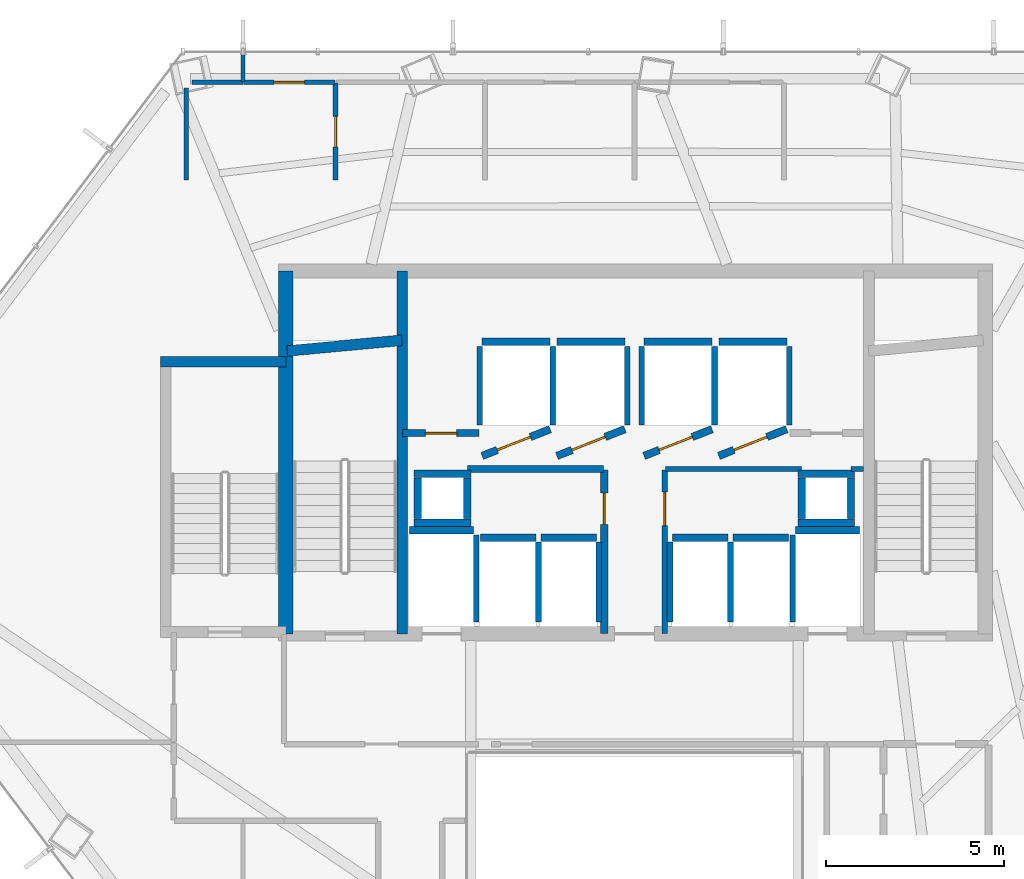
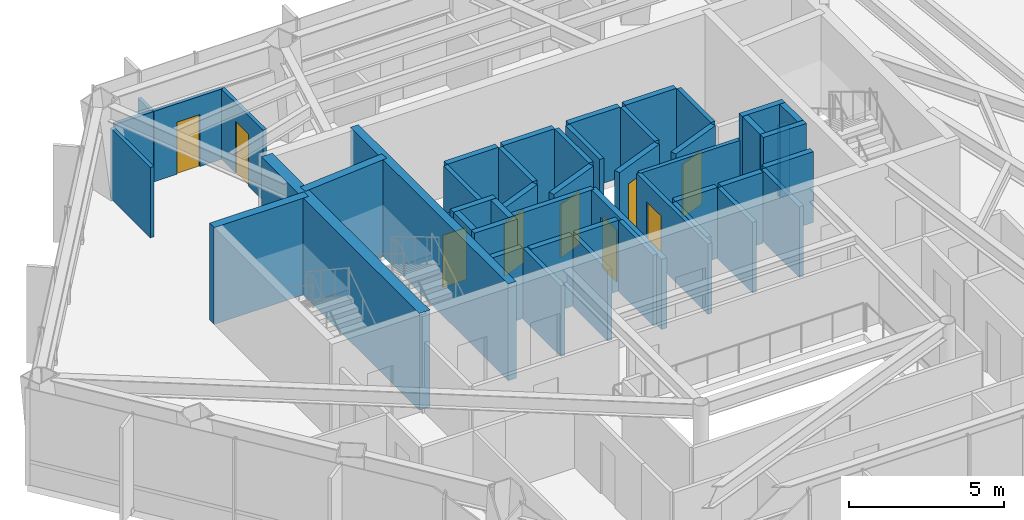
# One storey, part 24 of 26: 49 walls, 9 doors, 9 openings.
"""IFC4 building model written with IfcOpenShell, lengths in metres."""

from ifc_helpers import new_model, si_unit, direction, frame, frame_2d, origin, place, context, subcontext, project, spatial, rectangle, extrude, material, layer, layer_set, type_object, element, fill, save


model = new_model("IFC4")

# Units and contexts
model_context = context("Model", 3, precision=1e-05, world=origin(), true_north=direction((0.0, 1.0)))
body_context = subcontext(model_context, "Body", "Model", "MODEL_VIEW")
ifc_project = project(units=[si_unit("LENGTHUNIT", "METRE"), si_unit("AREAUNIT", "SQUARE_METRE"), si_unit("VOLUMEUNIT", "CUBIC_METRE"), si_unit("PLANEANGLEUNIT", "RADIAN"), si_unit("MASSUNIT", "GRAM", prefix="KILO")], contexts=[model_context])

# Site, building, storey
site_placement = place(None, origin())
site = spatial("IfcSite", under=ifc_project, at=site_placement, CompositionType="ELEMENT")
building_placement = place(site_placement, origin())
building = spatial("IfcBuilding", under=site, at=building_placement, Name="Zarrinselat Tower", CompositionType="ELEMENT")
storey_placement = place(building_placement, frame((0.0, 0.0, 92.820068359375)))
storey = spatial("IfcBuildingStorey", under=building, at=storey_placement, Name="L22", CompositionType="ELEMENT", Elevation=92.820068359375)

# Walls
ifc_material_1 = material(Name="Fire-Rated Gypsum Board Partition", Category="gypsum")
ifc_layer_1 = layer(ifc_material_1, 0.14990234375)
ifc_layer_set_1 = layer_set([ifc_layer_1], Name="Fire-Rated Gypsum Board Partition")
wall_type_1 = type_object("IfcWallType", Name="WAL-PART-EI60", PredefinedType="PARTITIONING", material=ifc_layer_set_1)
wall_1_placement = place(storey_placement, frame((39.27001953125, 37.8798828125, 0.0), z_axis=(0.0, 0.0, 1.0), x_axis=(1.0, 0.0, 0.0)))
element("IfcWall", 1, at=wall_1_placement, inside=storey, type_object=wall_type_1, Name="L22 Partition Wall 5", PredefinedType="PARTITIONING", context=body_context, shape_type="SweptSolid", body=[
    extrude(rectangle(XDim=3.824951171875, YDim=0.14990234375, at=frame_2d((1.91259765625, 0.0))), origin(), (0.0, 0.0, 1.0), 2.77685546875),
])
wall_2_placement = place(storey_placement, frame((44.485107421875, 37.8798828125, 0.0), z_axis=(0.0, 0.0, 1.0), x_axis=(1.0, 0.0, 0.0)))
element("IfcWall", 2, at=wall_2_placement, inside=storey, type_object=wall_type_1, Name="L22 Partition Wall 6", PredefinedType="PARTITIONING", context=body_context, shape_type="SweptSolid", body=[
    extrude(rectangle(XDim=0.349853515625, YDim=0.14990234375, at=frame_2d((0.1748046875, 0.0))), origin(), (0.0, 0.0, 1.0), 2.77685546875),
])

# Wall, opening, door
wall_3_placement = place(storey_placement, frame((39.25, 33.264892578125, 0.0), z_axis=(0.0, 0.0, 1.0), x_axis=(0.0, 1.0, 0.0)))
wall_3 = element("IfcWall", 3, at=wall_3_placement, inside=storey, type_object=wall_type_1, Name="L22 Partition Wall 7", PredefinedType="PARTITIONING", context=body_context, shape_type="SweptSolid", body=[
    extrude(rectangle(XDim=4.59521484375, YDim=0.14990234375, at=frame_2d((2.297607421875, 0.0))), origin(), (0.0, 0.0, 1.0), 2.77685546875),
])
opening_1_placement = place(wall_3_placement, frame((3.027587890625, 0.0, 0.0)))
opening_1 = element("IfcOpeningElement", 4, at=opening_1_placement, cuts=wall_3, Name="Opening ID-04", PredefinedType="OPENING", context=body_context, shape_type="SweptSolid", body=[
    extrude(rectangle(XDim=0.93994140625, YDim=2.050048828125, at=frame_2d((0.469970703125, 1.02490234375))), frame((0.0, 0.0849609375, 0.0), z_axis=(0.0, -1.0, 0.0), x_axis=(1.0, 0.0, 0.0)), (0.0, 0.0, 1.0), 0.169921875),
])
ifc_material_2 = material(Name="Fire-Rated Gypsum Board Partition")
door_type_1 = type_object("IfcDoorType", Name="DR-INT-FD30-ENT", OperationType="NOTDEFINED", PredefinedType="DOOR", material=ifc_material_2)
door_1_placement = place(opening_1_placement, origin())
door_1 = element("IfcDoor", 5, at=door_1_placement, inside=storey, type_object=door_type_1, Name="L22 Interior Door P7", OperationType="SINGLE_SWING_LEFT", OverallHeight=2.050048828125, OverallWidth=0.93994140625, PredefinedType="DOOR", context=body_context, shape_type="SweptSolid", body=[
    extrude(rectangle(XDim=0.93994140625, YDim=2.050048828125, at=frame_2d((0.469970703125, 1.02490234375))), frame((0.0, 0.02490234375, 0.0), z_axis=(0.0, -1.0, 0.0), x_axis=(1.0, 0.0, 0.0)), (0.0, 0.0, 1.0), 0.050048828125),
])
fill(opening_1, door_1)

ifc_material_3 = material(Name="Concrete C40/50", Category="concrete")
ifc_layer_2 = layer(ifc_material_3, 0.199951171875)
ifc_layer_set_2 = layer_set([ifc_layer_2], Name="Concrete C40/50")
wall_type_2 = type_object("IfcWallType", Name="WAL-PART-PLANT", PredefinedType="PARTITIONING", material=ifc_layer_set_2)
wall_4_placement = place(storey_placement, frame((37.550048828125, 33.264892578125, 0.0), z_axis=(0.0, 0.0, 1.0), x_axis=(0.0, 1.0, 0.0)))
wall_4 = element("IfcWall", 6, at=wall_4_placement, inside=storey, type_object=wall_type_2, Name="L22 Partition Wall 1", PredefinedType="PARTITIONING", context=body_context, shape_type="SweptSolid", body=[
    extrude(rectangle(XDim=4.59521484375, YDim=0.199951171875, at=frame_2d((2.297607421875, 0.0))), origin(), (0.0, 0.0, 1.0), 2.77685546875),
])
opening_2_placement = place(wall_4_placement, frame((3.0576171875, 0.0, 0.0)))
opening_2 = element("IfcOpeningElement", 7, at=opening_2_placement, cuts=wall_4, Name="Opening ID-03", PredefinedType="OPENING", context=body_context, shape_type="SweptSolid", body=[
    extrude(rectangle(XDim=0.8798828125, YDim=2.050048828125, at=frame_2d((0.43994140625, 1.02490234375))), frame((0.0, 0.10986328125, 0.0), z_axis=(0.0, -1.0, 0.0), x_axis=(1.0, 0.0, 0.0)), (0.0, 0.0, 1.0), 0.219970703125),
])
ifc_material_4 = material(Name="Steel S355J2", Category="steel")
door_type_2 = type_object("IfcDoorType", Name="DR-INT-FD60-S", OperationType="NOTDEFINED", PredefinedType="DOOR", material=ifc_material_4)
door_2_placement = place(opening_2_placement, origin())
door_2 = element("IfcDoor", 8, at=door_2_placement, inside=storey, type_object=door_type_2, Name="L22 Interior Door P1", OperationType="SINGLE_SWING_RIGHT", OverallHeight=2.050048828125, OverallWidth=0.8798828125, PredefinedType="DOOR", context=body_context, shape_type="SweptSolid", body=[
    extrude(rectangle(XDim=0.8798828125, YDim=2.050048828125, at=frame_2d((0.43994140625, 1.02490234375))), frame((0.0, 0.02490234375, 0.0), z_axis=(0.0, -1.0, 0.0), x_axis=(1.0, 0.0, 0.0)), (0.0, 0.0, 1.0), 0.050048828125),
])
fill(opening_2, door_2)

# Wall
wall_5_placement = place(storey_placement, frame((33.705078125, 37.8798828125, 0.0), z_axis=(0.0, 0.0, 1.0), x_axis=(1.0, 0.0, 0.0)))
element("IfcWall", 9, at=wall_5_placement, inside=storey, type_object=wall_type_2, Name="L22 Partition Wall 2", PredefinedType="PARTITIONING", context=body_context, shape_type="SweptSolid", body=[
    extrude(rectangle(XDim=3.824951171875, YDim=0.199951171875, at=frame_2d((1.91259765625, 0.0))), origin(), (0.0, 0.0, 1.0), 2.77685546875),
])

# Wall, opening, door
wall_6_placement = place(storey_placement, frame((31.885009765625, 38.889892578125, 0.0), z_axis=(0.0, 0.0, 1.0), x_axis=(1.0, 0.0, 0.0)))
wall_6 = element("IfcWall", 10, at=wall_6_placement, inside=storey, type_object=wall_type_2, Name="L22 Partition Wall 3", PredefinedType="PARTITIONING", context=body_context, shape_type="SweptSolid", body=[
    extrude(rectangle(XDim=2.14990234375, YDim=0.199951171875, at=frame_2d((1.074951171875, 0.0))), origin(), (0.0, 0.0, 1.0), 2.77685546875),
])
opening_3_placement = place(wall_6_placement, frame((0.635009765625, 0.0, 0.0)))
opening_3 = element("IfcOpeningElement", 11, at=opening_3_placement, cuts=wall_6, Name="Opening ID-03", PredefinedType="OPENING", context=body_context, shape_type="SweptSolid", body=[
    extrude(rectangle(XDim=0.8798828125, YDim=2.050048828125, at=frame_2d((0.43994140625, 1.02490234375))), frame((0.0, 0.10986328125, 0.0), z_axis=(0.0, -1.0, 0.0), x_axis=(1.0, 0.0, 0.0)), (0.0, 0.0, 1.0), 0.219970703125),
])
door_3_placement = place(opening_3_placement, origin())
door_3 = element("IfcDoor", 12, at=door_3_placement, inside=storey, type_object=door_type_2, Name="L22 Interior Door P3", OperationType="SINGLE_SWING_LEFT", OverallHeight=2.050048828125, OverallWidth=0.8798828125, PredefinedType="DOOR", context=body_context, shape_type="SweptSolid", body=[
    extrude(rectangle(XDim=0.8798828125, YDim=2.050048828125, at=frame_2d((0.43994140625, 1.02490234375))), frame((0.0, 0.02490234375, 0.0), z_axis=(0.0, -1.0, 0.0), x_axis=(1.0, 0.0, 0.0)), (0.0, 0.0, 1.0), 0.050048828125),
])
fill(opening_3, door_3)

# Wall
ifc_material_5 = material(Name="Fire-Rated Gypsum Board Partition", Category="gypsum")
ifc_layer_3 = layer(ifc_material_5, 0.1201171875)
ifc_layer_set_3 = layer_set([ifc_layer_3], Name="Fire-Rated Gypsum Board Partition")
wall_type_3 = type_object("IfcWallType", Name="WAL-PART-STD", PredefinedType="PARTITIONING", material=ifc_layer_set_3)
wall_7_placement = place(storey_placement, frame((27.39990234375, 48.77001953125, 0.0), z_axis=(0.0, 0.0, 1.0), x_axis=(0.0, 1.0, 0.0)))
element("IfcWall", 13, at=wall_7_placement, inside=storey, type_object=wall_type_3, Name="L22 Partition Wall 47", PredefinedType="PARTITIONING", context=body_context, shape_type="SweptSolid", body=[
    extrude(rectangle(XDim=0.831787109375, YDim=0.1201171875, at=frame_2d((0.416015625, 0.0))), origin(), (0.0, 0.0, 1.0), 2.77685546875),
])

# Wall, opening, door
ifc_material_6 = material(Name="Fire-Rated Gypsum Board Partition", Category="gypsum")
ifc_layer_4 = layer(ifc_material_6, 0.135009765625)
ifc_layer_set_4 = layer_set([ifc_layer_4], Name="Fire-Rated Gypsum Board Partition")
wall_type_4 = type_object("IfcWallType", Name="WAL-PART-WET", PredefinedType="PARTITIONING", material=ifc_layer_set_4)
wall_8_placement = place(storey_placement, frame((30.0, 46.0, 0.0), z_axis=(0.0, 0.0, 1.0), x_axis=(0.0, 1.0, 0.0)))
wall_8 = element("IfcWall", 14, at=wall_8_placement, inside=storey, type_object=wall_type_4, Name="L22 Partition Wall 34", PredefinedType="PARTITIONING", context=body_context, shape_type="SweptSolid", body=[
    extrude(rectangle(XDim=2.72998046875, YDim=0.135009765625, at=frame_2d((1.364990234375, 0.0))), origin(), (0.0, 0.0, 1.0), 2.77685546875),
])
opening_4_placement = place(wall_8_placement, frame((0.93505859375, 0.0, 0.0)))
opening_4 = element("IfcOpeningElement", 15, at=opening_4_placement, cuts=wall_8, Name="Opening ID-06", PredefinedType="OPENING", context=body_context, shape_type="SweptSolid", body=[
    extrude(rectangle(XDim=0.860107421875, YDim=2.050048828125, at=frame_2d((0.43017578125, 1.02490234375))), frame((0.0, 0.077392578125, 0.0), z_axis=(0.0, -1.0, 0.0), x_axis=(1.0, 0.0, 0.0)), (0.0, 0.0, 1.0), 0.155029296875),
])
ifc_material_7 = material(Name="Extruded Aluminium Alloy EN AW-6063 T6", Category="aluminium")
door_type_3 = type_object("IfcDoorType", Name="DR-INT-WET-900", OperationType="NOTDEFINED", PredefinedType="DOOR", material=ifc_material_7)
door_4_placement = place(opening_4_placement, origin())
door_4 = element("IfcDoor", 16, at=door_4_placement, inside=storey, type_object=door_type_3, Name="L22 Interior Door P34", OperationType="SINGLE_SWING_RIGHT", OverallHeight=2.050048828125, OverallWidth=0.860107421875, PredefinedType="DOOR", context=body_context, shape_type="SweptSolid", body=[
    extrude(rectangle(XDim=0.860107421875, YDim=2.050048828125, at=frame_2d((0.43017578125, 1.02490234375))), frame((0.0, 0.02490234375, 0.0), z_axis=(0.0, -1.0, 0.0), x_axis=(1.0, 0.0, 0.0)), (0.0, 0.0, 1.0), 0.050048828125),
])
fill(opening_4, door_4)

wall_9_placement = place(storey_placement, frame((27.405029296875, 48.75, 0.0), z_axis=(0.0, 0.0, 1.0), x_axis=(1.0, 0.0, 0.0)))
wall_9 = element("IfcWall", 17, at=wall_9_placement, inside=storey, type_object=wall_type_4, Name="L22 Partition Wall 35", PredefinedType="PARTITIONING", context=body_context, shape_type="SweptSolid", body=[
    extrude(rectangle(XDim=2.574951171875, YDim=0.135009765625, at=frame_2d((1.28759765625, 0.0))), origin(), (0.0, 0.0, 1.0), 2.77685546875),
])
opening_5_placement = place(wall_9_placement, frame((0.857421875, 0.0, 0.0)))
opening_5 = element("IfcOpeningElement", 18, at=opening_5_placement, cuts=wall_9, Name="Opening ID-06", PredefinedType="OPENING", context=body_context, shape_type="SweptSolid", body=[
    extrude(rectangle(XDim=0.860107421875, YDim=2.050048828125, at=frame_2d((0.43017578125, 1.02490234375))), frame((0.0, 0.077392578125, 0.0), z_axis=(0.0, -1.0, 0.0), x_axis=(1.0, 0.0, 0.0)), (0.0, 0.0, 1.0), 0.155029296875),
])
door_5_placement = place(opening_5_placement, origin())
door_5 = element("IfcDoor", 19, at=door_5_placement, inside=storey, type_object=door_type_3, Name="L22 Interior Door P35", OperationType="SINGLE_SWING_LEFT", OverallHeight=2.050048828125, OverallWidth=0.860107421875, PredefinedType="DOOR", context=body_context, shape_type="SweptSolid", body=[
    extrude(rectangle(XDim=0.860107421875, YDim=2.050048828125, at=frame_2d((0.43017578125, 1.02490234375))), frame((0.0, 0.02490234375, 0.0), z_axis=(0.0, -1.0, 0.0), x_axis=(1.0, 0.0, 0.0)), (0.0, 0.0, 1.0), 0.050048828125),
])
fill(opening_5, door_5)

# Walls
wall_10_placement = place(storey_placement, frame((25.800048828125, 46.0, 0.0), z_axis=(0.0, 0.0, 1.0), x_axis=(0.0, 1.0, 0.0)))
element("IfcWall", 20, at=wall_10_placement, inside=storey, type_object=wall_type_4, Name="L22 Partition Wall 36", PredefinedType="PARTITIONING", context=body_context, shape_type="SweptSolid", body=[
    extrude(rectangle(XDim=2.584228515625, YDim=0.135009765625, at=frame_2d((1.2919921875, 0.0))), origin(), (0.0, 0.0, 1.0), 2.77685546875),
])
wall_11_placement = place(storey_placement, frame((25.9658203125, 48.75, 0.0), z_axis=(0.0, 0.0, 1.0), x_axis=(1.0, 0.0, 0.0)))
element("IfcWall", 21, at=wall_11_placement, inside=storey, type_object=wall_type_4, Name="L22 Partition Wall 37", PredefinedType="PARTITIONING", context=body_context, shape_type="SweptSolid", body=[
    extrude(rectangle(XDim=1.42919921875, YDim=0.135009765625, at=frame_2d((0.714599609375, 0.0))), origin(), (0.0, 0.0, 1.0), 2.77685546875),
])
ifc_material_8 = material(Name="Concrete C40/50", Category="concrete")
ifc_layer_5 = layer(ifc_material_8, 0.2099609375)
ifc_layer_set_5 = layer_set([ifc_layer_5], Name="Concrete C40/50")
wall_type_5 = type_object("IfcWallType", Name="WAL-SHAFT-210", PredefinedType="SOLIDWALL", material=ifc_layer_set_5)
wall_12_placement = place(storey_placement, frame((32.080078125, 36.155029296875, 0.0), z_axis=(0.0, 0.0, 1.0), x_axis=(1.0, 0.0, 0.0)))
element("IfcWall", 22, at=wall_12_placement, inside=storey, type_object=wall_type_5, Name="L22 Lift FFL1 North Shaft Wall", PredefinedType="SOLIDWALL", context=body_context, shape_type="SweptSolid", body=[
    extrude(rectangle(XDim=1.7998046875, YDim=0.2099609375, at=frame_2d((0.89990234375, 0.0))), origin(), (0.0, 0.0, 1.0), 2.7919921875),
])
wall_13_placement = place(storey_placement, frame((33.949951171875, 33.580078125, 0.0), z_axis=(0.0, 0.0, 1.0), x_axis=(0.0, 1.0, 0.0)))
element("IfcWall", 23, at=wall_13_placement, inside=storey, type_object=wall_type_5, Name="L22 Lift FFL1 E Shaft Wall", PredefinedType="SOLIDWALL", context=body_context, shape_type="SweptSolid", body=[
    extrude(rectangle(XDim=2.449951171875, YDim=0.159912109375, at=frame_2d((1.22509765625, 0.0))), origin(), (0.0, 0.0, 1.0), 2.7919921875),
])
wall_14_placement = place(storey_placement, frame((42.919921875, 36.155029296875, 0.0), z_axis=(0.0, 0.0, 1.0), x_axis=(1.0, 0.0, 0.0)))
element("IfcWall", 24, at=wall_14_placement, inside=storey, type_object=wall_type_5, Name="L22 Lift FFL2 North Shaft Wall", PredefinedType="SOLIDWALL", context=body_context, shape_type="SweptSolid", body=[
    extrude(rectangle(XDim=1.800048828125, YDim=0.2099609375, at=frame_2d((0.89990234375, 0.0))), origin(), (0.0, 0.0, 1.0), 2.7919921875),
])
wall_15_placement = place(storey_placement, frame((42.85009765625, 33.580078125, 0.0), z_axis=(0.0, 0.0, 1.0), x_axis=(0.0, 1.0, 0.0)))
element("IfcWall", 25, at=wall_15_placement, inside=storey, type_object=wall_type_5, Name="L22 Lift FFL2 W Shaft Wall", PredefinedType="SOLIDWALL", context=body_context, shape_type="SweptSolid", body=[
    extrude(rectangle(XDim=2.449951171875, YDim=0.159912109375, at=frame_2d((1.22509765625, 0.0))), origin(), (0.0, 0.0, 1.0), 2.7919921875),
])

# Wall, opening, door
wall_16_placement = place(storey_placement, frame((34.1201171875, 38.25, 0.0), z_axis=(0.0, 0.0, 1.0), x_axis=(0.930804993012, 0.36551616241, 0.0)))
wall_16 = element("IfcWall", 26, at=wall_16_placement, inside=storey, type_object=wall_type_5, Name="L22 Lift PL1 Front Shaft Wall", PredefinedType="SOLIDWALL", context=body_context, shape_type="SweptSolid", body=[
    extrude(rectangle(XDim=2.052001953125, YDim=0.2099609375, at=frame_2d((1.02587890625, 0.0))), origin(), (0.0, 0.0, 1.0), 2.7919921875),
])
opening_6_placement = place(wall_16_placement, frame((0.455078125, 0.0, 0.0)))
opening_6 = element("IfcOpeningElement", 27, at=opening_6_placement, cuts=wall_16, Name="Opening LD-PL1", PredefinedType="OPENING", context=body_context, shape_type="SweptSolid", body=[
    extrude(rectangle(XDim=1.0, YDim=2.10009765625, at=frame_2d((0.5, 1.050048828125))), frame((0.0, 0.114990234375, 0.0), z_axis=(0.0, -1.0, 0.0), x_axis=(1.0, 0.0, 0.0)), (0.0, 0.0, 1.0), 0.22998046875),
])
ifc_material_9 = material(Name="Steel S355J2", Category="steel")
door_type_4 = type_object("IfcDoorType", Name="DR-LIFT-PS-1000", OperationType="NOTDEFINED", PredefinedType="DOOR", material=ifc_material_9)
door_6_placement = place(opening_6_placement, origin())
door_6 = element("IfcDoor", 28, at=door_6_placement, inside=storey, type_object=door_type_4, Name="L22 Lift PL1 Sliding Landing Door", OperationType="SLIDING_TO_LEFT", OverallHeight=2.10009765625, OverallWidth=1.0, PredefinedType="DOOR", context=body_context, shape_type="SweptSolid", body=[
    extrude(rectangle(XDim=1.0, YDim=2.10009765625, at=frame_2d((0.5, 1.050048828125))), frame((0.0, 0.02490234375, 0.0), z_axis=(0.0, -1.0, 0.0), x_axis=(1.0, 0.0, 0.0)), (0.0, 0.0, 1.0), 0.050048828125),
])
fill(opening_6, door_6)

# Walls
wall_17_placement = place(storey_placement, frame((34.1201171875, 41.455078125, 0.0), z_axis=(0.0, 0.0, 1.0), x_axis=(1.0, 0.0, 0.0)))
element("IfcWall", 29, at=wall_17_placement, inside=storey, type_object=wall_type_5, Name="L22 Lift PL1 Rear Shaft Wall", PredefinedType="SOLIDWALL", context=body_context, shape_type="SweptSolid", body=[
    extrude(rectangle(XDim=1.909912109375, YDim=0.2099609375, at=frame_2d((0.955078125, 0.0))), origin(), (0.0, 0.0, 1.0), 2.7919921875),
])
for number, where, z_axis, x_axis, name in (
    (30, (34.050048828125, 39.1201171875, 0.0), (0.0, 0.0, 1.0), (0.0, 1.0, 0.0), "L22 Lift PL1 W Shaft Wall"),
    (31, (36.10009765625, 39.1201171875, 0.0), (0.0, 0.0, 1.0), (0.0, 1.0, 0.0), "L22 Lift PL1 E Shaft Wall"),
):
    element("IfcWall", number, at=place(storey_placement, frame(where, z_axis=z_axis, x_axis=x_axis)), inside=storey, type_object=wall_type_5, Name=name, PredefinedType="SOLIDWALL", context=body_context, shape_type="SweptSolid", body=[
        extrude(rectangle(XDim=2.2099609375, YDim=0.159912109375, at=frame_2d((1.10498046875, 0.0))), origin(), (0.0, 0.0, 1.0), 2.7919921875),
    ])

# Wall, opening, door
wall_18_placement = place(storey_placement, frame((36.219970703125, 38.25, 0.0), z_axis=(0.0, 0.0, 1.0), x_axis=(0.930804993012, 0.36551616241, 0.0)))
wall_18 = element("IfcWall", 32, at=wall_18_placement, inside=storey, type_object=wall_type_5, Name="L22 Lift PL2 Front Shaft Wall", PredefinedType="SOLIDWALL", context=body_context, shape_type="SweptSolid", body=[
    extrude(rectangle(XDim=2.052001953125, YDim=0.2099609375, at=frame_2d((1.02587890625, 0.0))), origin(), (0.0, 0.0, 1.0), 2.7919921875),
])
opening_7_placement = place(wall_18_placement, frame((0.455078125, 0.0, 0.0)))
opening_7 = element("IfcOpeningElement", 33, at=opening_7_placement, cuts=wall_18, Name="Opening LD-PL2", PredefinedType="OPENING", context=body_context, shape_type="SweptSolid", body=[
    extrude(rectangle(XDim=1.0, YDim=2.10009765625, at=frame_2d((0.5, 1.050048828125))), frame((0.0, 0.114990234375, 0.0), z_axis=(0.0, -1.0, 0.0), x_axis=(1.0, 0.0, 0.0)), (0.0, 0.0, 1.0), 0.22998046875),
])
door_7_placement = place(opening_7_placement, origin())
door_7 = element("IfcDoor", 34, at=door_7_placement, inside=storey, type_object=door_type_4, Name="L22 Lift PL2 Sliding Landing Door", OperationType="SLIDING_TO_RIGHT", OverallHeight=2.10009765625, OverallWidth=1.0, PredefinedType="DOOR", context=body_context, shape_type="SweptSolid", body=[
    extrude(rectangle(XDim=1.0, YDim=2.10009765625, at=frame_2d((0.5, 1.050048828125))), frame((0.0, 0.02490234375, 0.0), z_axis=(0.0, -1.0, 0.0), x_axis=(1.0, 0.0, 0.0)), (0.0, 0.0, 1.0), 0.050048828125),
])
fill(opening_7, door_7)

# Walls
wall_19_placement = place(storey_placement, frame((36.219970703125, 41.455078125, 0.0), z_axis=(0.0, 0.0, 1.0), x_axis=(1.0, 0.0, 0.0)))
element("IfcWall", 35, at=wall_19_placement, inside=storey, type_object=wall_type_5, Name="L22 Lift PL2 Rear Shaft Wall", PredefinedType="SOLIDWALL", context=body_context, shape_type="SweptSolid", body=[
    extrude(rectangle(XDim=1.909912109375, YDim=0.2099609375, at=frame_2d((0.955078125, 0.0))), origin(), (0.0, 0.0, 1.0), 2.7919921875),
])
wall_20_placement = place(storey_placement, frame((38.199951171875, 39.1201171875, 0.0), z_axis=(0.0, 0.0, 1.0), x_axis=(0.0, 1.0, 0.0)))
element("IfcWall", 36, at=wall_20_placement, inside=storey, type_object=wall_type_5, Name="L22 Lift PL2 E Shaft Wall", PredefinedType="SOLIDWALL", context=body_context, shape_type="SweptSolid", body=[
    extrude(rectangle(XDim=2.2099609375, YDim=0.159912109375, at=frame_2d((1.10498046875, 0.0))), origin(), (0.0, 0.0, 1.0), 2.7919921875),
])

# Wall, opening, door
wall_21_placement = place(storey_placement, frame((38.669921875, 38.25, 0.0), z_axis=(0.0, 0.0, 1.0), x_axis=(0.930820886763, 0.3654756856, 0.0)))
wall_21 = element("IfcWall", 37, at=wall_21_placement, inside=storey, type_object=wall_type_5, Name="L22 Lift PL3 Front Shaft Wall", PredefinedType="SOLIDWALL", context=body_context, shape_type="SweptSolid", body=[
    extrude(rectangle(XDim=2.052001953125, YDim=0.2099609375, at=frame_2d((1.02587890625, 0.0))), origin(), (0.0, 0.0, 1.0), 2.7919921875),
])
opening_8_placement = place(wall_21_placement, frame((0.455078125, 0.0, 0.0)))
opening_8 = element("IfcOpeningElement", 38, at=opening_8_placement, cuts=wall_21, Name="Opening LD-PL3", PredefinedType="OPENING", context=body_context, shape_type="SweptSolid", body=[
    extrude(rectangle(XDim=1.0, YDim=2.10009765625, at=frame_2d((0.5, 1.050048828125))), frame((0.0, 0.114990234375, 0.0), z_axis=(0.0, -1.0, 0.0), x_axis=(1.0, 0.0, 0.0)), (0.0, 0.0, 1.0), 0.22998046875),
])
door_8_placement = place(opening_8_placement, origin())
door_8 = element("IfcDoor", 39, at=door_8_placement, inside=storey, type_object=door_type_4, Name="L22 Lift PL3 Sliding Landing Door", OperationType="SLIDING_TO_LEFT", OverallHeight=2.10009765625, OverallWidth=1.0, PredefinedType="DOOR", context=body_context, shape_type="SweptSolid", body=[
    extrude(rectangle(XDim=1.0, YDim=2.10009765625, at=frame_2d((0.5, 1.050048828125))), frame((0.0, 0.02490234375, 0.0), z_axis=(0.0, -1.0, 0.0), x_axis=(1.0, 0.0, 0.0)), (0.0, 0.0, 1.0), 0.050048828125),
])
fill(opening_8, door_8)

# Walls
wall_22_placement = place(storey_placement, frame((38.669921875, 41.455078125, 0.0), z_axis=(0.0, 0.0, 1.0), x_axis=(1.0, 0.0, 0.0)))
element("IfcWall", 40, at=wall_22_placement, inside=storey, type_object=wall_type_5, Name="L22 Lift PL3 Rear Shaft Wall", PredefinedType="SOLIDWALL", context=body_context, shape_type="SweptSolid", body=[
    extrude(rectangle(XDim=1.91015625, YDim=0.2099609375, at=frame_2d((0.955078125, 0.0))), origin(), (0.0, 0.0, 1.0), 2.7919921875),
])
for number, where, z_axis, x_axis, name in (
    (41, (38.60009765625, 39.1201171875, 0.0), (0.0, 0.0, 1.0), (0.0, 1.0, 0.0), "L22 Lift PL3 W Shaft Wall"),
    (42, (40.64990234375, 39.1201171875, 0.0), (0.0, 0.0, 1.0), (0.0, 1.0, 0.0), "L22 Lift PL3 E Shaft Wall"),
):
    element("IfcWall", number, at=place(storey_placement, frame(where, z_axis=z_axis, x_axis=x_axis)), inside=storey, type_object=wall_type_5, Name=name, PredefinedType="SOLIDWALL", context=body_context, shape_type="SweptSolid", body=[
        extrude(rectangle(XDim=2.2099609375, YDim=0.159912109375, at=frame_2d((1.10498046875, 0.0))), origin(), (0.0, 0.0, 1.0), 2.7919921875),
    ])

# Wall, opening, door
wall_23_placement = place(storey_placement, frame((40.77001953125, 38.25, 0.0), z_axis=(0.0, 0.0, 1.0), x_axis=(0.930804993012, 0.36551616241, 0.0)))
wall_23 = element("IfcWall", 43, at=wall_23_placement, inside=storey, type_object=wall_type_5, Name="L22 Lift PL4 Front Shaft Wall", PredefinedType="SOLIDWALL", context=body_context, shape_type="SweptSolid", body=[
    extrude(rectangle(XDim=2.052001953125, YDim=0.2099609375, at=frame_2d((1.02587890625, 0.0))), origin(), (0.0, 0.0, 1.0), 2.7919921875),
])
opening_9_placement = place(wall_23_placement, frame((0.455078125, 0.0, 0.0)))
opening_9 = element("IfcOpeningElement", 44, at=opening_9_placement, cuts=wall_23, Name="Opening LD-PL4", PredefinedType="OPENING", context=body_context, shape_type="SweptSolid", body=[
    extrude(rectangle(XDim=1.0, YDim=2.10009765625, at=frame_2d((0.5, 1.050048828125))), frame((0.0, 0.114990234375, 0.0), z_axis=(0.0, -1.0, 0.0), x_axis=(1.0, 0.0, 0.0)), (0.0, 0.0, 1.0), 0.22998046875),
])
door_9_placement = place(opening_9_placement, origin())
door_9 = element("IfcDoor", 45, at=door_9_placement, inside=storey, type_object=door_type_4, Name="L22 Lift PL4 Sliding Landing Door", OperationType="SLIDING_TO_RIGHT", OverallHeight=2.10009765625, OverallWidth=1.0, PredefinedType="DOOR", context=body_context, shape_type="SweptSolid", body=[
    extrude(rectangle(XDim=1.0, YDim=2.10009765625, at=frame_2d((0.5, 1.050048828125))), frame((0.0, 0.02490234375, 0.0), z_axis=(0.0, -1.0, 0.0), x_axis=(1.0, 0.0, 0.0)), (0.0, 0.0, 1.0), 0.050048828125),
])
fill(opening_9, door_9)

# Walls
wall_24_placement = place(storey_placement, frame((40.77001953125, 41.455078125, 0.0), z_axis=(0.0, 0.0, 1.0), x_axis=(1.0, 0.0, 0.0)))
element("IfcWall", 46, at=wall_24_placement, inside=storey, type_object=wall_type_5, Name="L22 Lift PL4 Rear Shaft Wall", PredefinedType="SOLIDWALL", context=body_context, shape_type="SweptSolid", body=[
    extrude(rectangle(XDim=1.909912109375, YDim=0.2099609375, at=frame_2d((0.955078125, 0.0))), origin(), (0.0, 0.0, 1.0), 2.7919921875),
])
wall_25_placement = place(storey_placement, frame((42.75, 39.1201171875, 0.0), z_axis=(0.0, 0.0, 1.0), x_axis=(0.0, 1.0, 0.0)))
element("IfcWall", 47, at=wall_25_placement, inside=storey, type_object=wall_type_5, Name="L22 Lift PL4 E Shaft Wall", PredefinedType="SOLIDWALL", context=body_context, shape_type="SweptSolid", body=[
    extrude(rectangle(XDim=2.2099609375, YDim=0.159912109375, at=frame_2d((1.10498046875, 0.0))), origin(), (0.0, 0.0, 1.0), 2.7919921875),
])
wall_26_placement = place(storey_placement, frame((34.070068359375, 35.955078125, 0.0), z_axis=(0.0, 0.0, 1.0), x_axis=(1.0, 0.0, 0.0)))
element("IfcWall", 48, at=wall_26_placement, inside=storey, type_object=wall_type_5, Name="L22 Lift PL5 North Shaft Wall", PredefinedType="SOLIDWALL", context=body_context, shape_type="SweptSolid", body=[
    extrude(rectangle(XDim=1.559814453125, YDim=0.2099609375, at=frame_2d((0.77978515625, 0.0))), origin(), (0.0, 0.0, 1.0), 2.7919921875),
])
wall_27_placement = place(storey_placement, frame((35.699951171875, 33.580078125, 0.0), z_axis=(0.0, 0.0, 1.0), x_axis=(0.0, 1.0, 0.0)))
element("IfcWall", 49, at=wall_27_placement, inside=storey, type_object=wall_type_5, Name="L22 Lift PL5 E Shaft Wall", PredefinedType="SOLIDWALL", context=body_context, shape_type="SweptSolid", body=[
    extrude(rectangle(XDim=2.25, YDim=0.159912109375, at=frame_2d((1.125, 0.0))), origin(), (0.0, 0.0, 1.0), 2.7919921875),
])
wall_28_placement = place(storey_placement, frame((35.77001953125, 35.955078125, 0.0), z_axis=(0.0, 0.0, 1.0), x_axis=(1.0, 0.0, 0.0)))
element("IfcWall", 50, at=wall_28_placement, inside=storey, type_object=wall_type_5, Name="L22 Lift PL6 North Shaft Wall", PredefinedType="SOLIDWALL", context=body_context, shape_type="SweptSolid", body=[
    extrude(rectangle(XDim=1.56005859375, YDim=0.2099609375, at=frame_2d((0.780029296875, 0.0))), origin(), (0.0, 0.0, 1.0), 2.7919921875),
])
wall_29_placement = place(storey_placement, frame((37.39990234375, 33.580078125, 0.0), z_axis=(0.0, 0.0, 1.0), x_axis=(0.0, 1.0, 0.0)))
element("IfcWall", 51, at=wall_29_placement, inside=storey, type_object=wall_type_5, Name="L22 Lift PL6 E Shaft Wall", PredefinedType="SOLIDWALL", context=body_context, shape_type="SweptSolid", body=[
    extrude(rectangle(XDim=2.25, YDim=0.159912109375, at=frame_2d((1.125, 0.0))), origin(), (0.0, 0.0, 1.0), 2.7919921875),
])
wall_30_placement = place(storey_placement, frame((39.469970703125, 35.955078125, 0.0), z_axis=(0.0, 0.0, 1.0), x_axis=(1.0, 0.0, 0.0)))
element("IfcWall", 52, at=wall_30_placement, inside=storey, type_object=wall_type_5, Name="L22 Lift PL8 North Shaft Wall", PredefinedType="SOLIDWALL", context=body_context, shape_type="SweptSolid", body=[
    extrude(rectangle(XDim=1.56005859375, YDim=0.2099609375, at=frame_2d((0.780029296875, 0.0))), origin(), (0.0, 0.0, 1.0), 2.7919921875),
])
for number, where, z_axis, x_axis, name in (
    (53, (39.39990234375, 33.580078125, 0.0), (0.0, 0.0, 1.0), (0.0, 1.0, 0.0), "L22 Lift PL8 W Shaft Wall"),
    (54, (41.10009765625, 33.580078125, 0.0), (0.0, 0.0, 1.0), (0.0, 1.0, 0.0), "L22 Lift PL8 E Shaft Wall"),
):
    element("IfcWall", number, at=place(storey_placement, frame(where, z_axis=z_axis, x_axis=x_axis)), inside=storey, type_object=wall_type_5, Name=name, PredefinedType="SOLIDWALL", context=body_context, shape_type="SweptSolid", body=[
        extrude(rectangle(XDim=2.25, YDim=0.159912109375, at=frame_2d((1.125, 0.0))), origin(), (0.0, 0.0, 1.0), 2.7919921875),
    ])
wall_31_placement = place(storey_placement, frame((41.169921875, 35.955078125, 0.0), z_axis=(0.0, 0.0, 1.0), x_axis=(1.0, 0.0, 0.0)))
element("IfcWall", 55, at=wall_31_placement, inside=storey, type_object=wall_type_5, Name="L22 Lift PL9 North Shaft Wall", PredefinedType="SOLIDWALL", context=body_context, shape_type="SweptSolid", body=[
    extrude(rectangle(XDim=1.56005859375, YDim=0.2099609375, at=frame_2d((0.780029296875, 0.0))), origin(), (0.0, 0.0, 1.0), 2.7919921875),
])
for number, where, z_axis, x_axis, name in (
    (56, (32.2099609375, 36.375, 0.0), (0.0, 0.0, 1.0), (1.0, 0.0, 0.0), "L22 Core Riser RSR-W S Shaft Wall"),
    (57, (32.2099609375, 37.7451171875, 0.0), (0.0, 0.0, 1.0), (1.0, 0.0, 0.0), "L22 Core Riser RSR-W N Shaft Wall"),
):
    element("IfcWall", number, at=place(storey_placement, frame(where, z_axis=z_axis, x_axis=x_axis)), inside=storey, type_object=wall_type_5, Name=name, PredefinedType="SOLIDWALL", context=body_context, shape_type="SweptSolid", body=[
        extrude(rectangle(XDim=1.60009765625, YDim=0.2099609375, at=frame_2d((0.800048828125, 0.0))), origin(), (0.0, 0.0, 1.0), 3.81982421875),
    ])
for number, where, z_axis, x_axis, name in (
    (58, (32.31494140625, 36.485107421875, 0.0), (0.0, 0.0, 1.0), (0.0, 1.0, 0.0), "L22 Core Riser RSR-W W Shaft Wall"),
    (59, (33.705078125, 36.485107421875, 0.0), (0.0, 0.0, 1.0), (0.0, 1.0, 0.0), "L22 Core Riser RSR-W E Shaft Wall"),
):
    element("IfcWall", number, at=place(storey_placement, frame(where, z_axis=z_axis, x_axis=x_axis)), inside=storey, type_object=wall_type_5, Name=name, PredefinedType="SOLIDWALL", context=body_context, shape_type="SweptSolid", body=[
        extrude(rectangle(XDim=1.14990234375, YDim=0.2099609375, at=frame_2d((0.574951171875, 0.0))), origin(), (0.0, 0.0, 1.0), 3.81982421875),
    ])
for number, where, z_axis, x_axis, name in (
    (60, (42.989990234375, 36.375, 0.0), (0.0, 0.0, 1.0), (1.0, 0.0, 0.0), "L22 Core Riser RSR-E S Shaft Wall"),
    (61, (42.989990234375, 37.7451171875, 0.0), (0.0, 0.0, 1.0), (1.0, 0.0, 0.0), "L22 Core Riser RSR-E N Shaft Wall"),
):
    element("IfcWall", number, at=place(storey_placement, frame(where, z_axis=z_axis, x_axis=x_axis)), inside=storey, type_object=wall_type_5, Name=name, PredefinedType="SOLIDWALL", context=body_context, shape_type="SweptSolid", body=[
        extrude(rectangle(XDim=1.60009765625, YDim=0.2099609375, at=frame_2d((0.800048828125, 0.0))), origin(), (0.0, 0.0, 1.0), 3.81982421875),
    ])
for number, where, z_axis, x_axis, name in (
    (62, (43.094970703125, 36.485107421875, 0.0), (0.0, 0.0, 1.0), (0.0, 1.0, 0.0), "L22 Core Riser RSR-E W Shaft Wall"),
    (63, (44.485107421875, 36.485107421875, 0.0), (0.0, 0.0, 1.0), (0.0, 1.0, 0.0), "L22 Core Riser RSR-E E Shaft Wall"),
):
    element("IfcWall", number, at=place(storey_placement, frame(where, z_axis=z_axis, x_axis=x_axis)), inside=storey, type_object=wall_type_5, Name=name, PredefinedType="SOLIDWALL", context=body_context, shape_type="SweptSolid", body=[
        extrude(rectangle(XDim=1.14990234375, YDim=0.2099609375, at=frame_2d((0.574951171875, 0.0))), origin(), (0.0, 0.0, 1.0), 3.81982421875),
    ])
ifc_material_10 = material(Name="Concrete C40/50", Category="concrete")
ifc_layer_6 = layer(ifc_material_10, 0.300048828125)
ifc_layer_set_6 = layer_set([ifc_layer_6], Name="Concrete C40/50")
wall_type_6 = type_object("IfcWallType", Name="WAL-SHEAR-300", PredefinedType="SHEAR", material=ifc_layer_set_6)
wall_32_placement = place(storey_placement, frame((31.8701171875, 33.25, 0.0), z_axis=(0.0, 0.0, 1.0), x_axis=(0.0, 1.0, 0.0)))
element("IfcWall", 64, at=wall_32_placement, inside=storey, type_object=wall_type_6, Name="L22 Core Shear Wall ST1E", PredefinedType="SHEAR", context=body_context, shape_type="SweptSolid", body=[
    extrude(rectangle(XDim=10.199951171875, YDim=0.300048828125, at=frame_2d((5.10009765625, 0.0))), origin(), (0.0, 0.0, 1.0), 3.81982421875),
])
wall_33_placement = place(storey_placement, frame((28.639892578125, 41.199951171875, 0.0), z_axis=(0.0, 0.0, 1.0), x_axis=(0.995687118776, 0.092774789157, 0.0)))
element("IfcWall", 65, at=wall_33_placement, inside=storey, type_object=wall_type_6, Name="L22 Stair 1 North Shaft Wall", PredefinedType="SHEAR", context=body_context, shape_type="SweptSolid", body=[
    extrude(rectangle(XDim=3.234130859375, YDim=0.300048828125, at=frame_2d((1.6171875, 0.0))), origin(), (0.0, 0.0, 1.0), 3.81982421875),
])
wall_34_placement = place(storey_placement, frame((25.080078125, 40.89990234375, 0.0), z_axis=(0.0, 0.0, 1.0), x_axis=(1.0, 0.0, 0.0)))
element("IfcWall", 66, at=wall_34_placement, inside=storey, type_object=wall_type_6, Name="L22 Stair 3 North Shear Wall", PredefinedType="SHEAR", context=body_context, shape_type="SweptSolid", body=[
    extrude(rectangle(XDim=3.52001953125, YDim=0.300048828125, at=frame_2d((1.760009765625, 0.0))), origin(), (0.0, 0.0, 1.0), 3.81982421875),
])
ifc_material_11 = material(Name="Concrete C60/75", Category="concrete")
ifc_layer_7 = layer(ifc_material_11, 0.39990234375)
ifc_layer_set_7 = layer_set([ifc_layer_7], Name="Concrete C60/75")
wall_type_7 = type_object("IfcWallType", Name="WAL-SHEAR-400", PredefinedType="SHEAR", material=ifc_layer_set_7)
wall_35_placement = place(storey_placement, frame((28.60009765625, 33.25, 0.0), z_axis=(0.0, 0.0, 1.0), x_axis=(0.0, 1.0, 0.0)))
element("IfcWall", 67, at=wall_35_placement, inside=storey, type_object=wall_type_7, Name="L22 Core Shear Wall W", PredefinedType="SHEAR", context=body_context, shape_type="SweptSolid", body=[
    extrude(rectangle(XDim=10.199951171875, YDim=0.39990234375, at=frame_2d((5.10009765625, 0.0))), origin(), (0.0, 0.0, 1.0), 3.81982421875),
])

save(model, "model.ifc")
